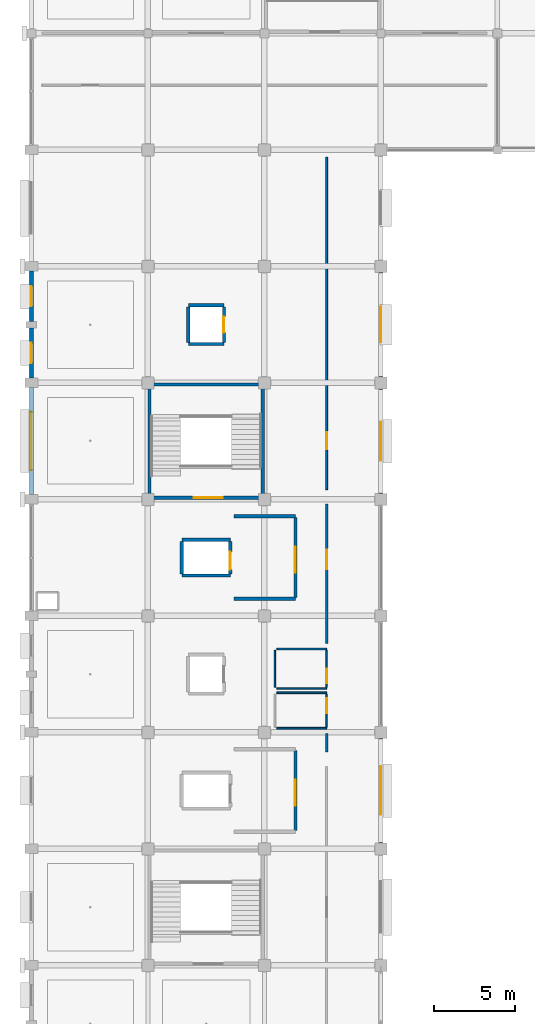
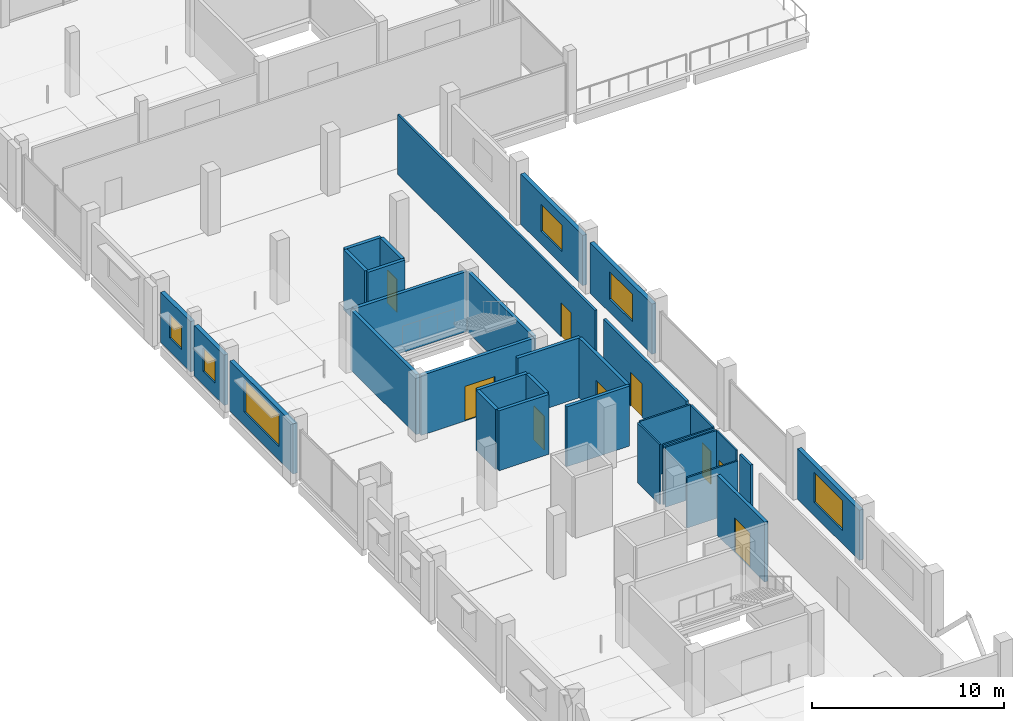
# One storey, part 67 of 91: 32 walls, 9 doors, 6 windows, 15 openings.
"""IFC4 building model written with IfcOpenShell, lengths in metres."""

from ifc_helpers import new_model, si_unit, direction, frame, frame_2d, origin, place, context, subcontext, project, spatial, rectangle, extrude, material, layer, layer_set, type_object, element, fill, save


model = new_model("IFC4")

# Units and contexts
model_context = context("Model", 3, precision=1e-05, world=origin(), true_north=direction((0.0, 1.0)))
body_context = subcontext(model_context, "Body", "Model", "MODEL_VIEW")
ifc_project = project(units=[si_unit("LENGTHUNIT", "METRE"), si_unit("AREAUNIT", "SQUARE_METRE"), si_unit("VOLUMEUNIT", "CUBIC_METRE"), si_unit("PLANEANGLEUNIT", "RADIAN"), si_unit("MASSUNIT", "GRAM", prefix="KILO")], contexts=[model_context])

# Site, building, storey
site_placement = place(None, origin())
site = spatial("IfcSite", under=ifc_project, at=site_placement, CompositionType="ELEMENT")
building_placement = place(site_placement, origin())
building = spatial("IfcBuilding", under=site, at=building_placement, Name="Kangsadwip Square Police Headquarters", CompositionType="ELEMENT")
storey_placement = place(building_placement, frame((0.0, 0.0, 13.5)))
storey = spatial("IfcBuildingStorey", under=building, at=storey_placement, Name="L03", CompositionType="ELEMENT", Elevation=13.5)

# Wall, opening, door
ifc_material_1 = material(Name="Fire-rated double gypsum board acoustic stud partition", Category="masonry")
ifc_layer_1 = layer(ifc_material_1, 0.1201171875)
ifc_layer_set_1 = layer_set([ifc_layer_1], Name="Fire-rated double gypsum board acoustic stud partition")
wall_type_1 = type_object("IfcWallType", Name="AcousticPartition120", PredefinedType="PARTITIONING", material=ifc_layer_set_1)
wall_1_placement = place(storey_placement, frame((18.25, 72.60009765625, 0.0), z_axis=(0.0, 0.0, 1.0), x_axis=(0.0, 1.0, 0.0)))
wall_1 = element("IfcWall", 1, at=wall_1_placement, inside=storey, type_object=wall_type_1, Name="Interior Wall WI-L03-0823", PredefinedType="PARTITIONING", context=body_context, shape_type="SweptSolid", body=[
    extrude(rectangle(XDim=20.5498046875, YDim=0.1201171875, at=frame_2d((10.27490234375, 0.0))), origin(), (0.0, 0.0, 1.0), 3.81005859375),
])
opening_1_placement = place(wall_1_placement, frame((2.5, 0.0, 0.0)))
opening_1 = element("IfcOpeningElement", 2, at=opening_1_placement, cuts=wall_1, Name="Opening ID-10A", PredefinedType="OPENING", context=body_context, shape_type="SweptSolid", body=[
    extrude(rectangle(XDim=1.050048828125, YDim=2.14990234375, at=frame_2d((0.52490234375, 1.074951171875))), frame((0.0, 0.070068359375, 0.0), z_axis=(0.0, -1.0, 0.0), x_axis=(1.0, 0.0, 0.0)), (0.0, 0.0, 1.0), 0.14013671875),
])
ifc_material_2 = material(Name="Solid-core seasoned teak hardwood architectural door", Category="wood")
door_type_1 = type_object("IfcDoorType", Name="OfficeDoor1050x2150", OperationType="NOTDEFINED", PredefinedType="DOOR", material=ifc_material_2)
door_1_placement = place(opening_1_placement, origin())
door_1 = element("IfcDoor", 3, at=door_1_placement, inside=storey, type_object=door_type_1, Name="Interior Door ID-L03-0215", OperationType="SINGLE_SWING_RIGHT", OverallHeight=2.14990234375, OverallWidth=1.050048828125, PredefinedType="DOOR", context=body_context, shape_type="SweptSolid", body=[
    extrude(rectangle(XDim=1.050048828125, YDim=2.14990234375, at=frame_2d((0.52490234375, 1.074951171875))), frame((0.0, 0.02490234375, 0.0), z_axis=(0.0, -1.0, 0.0), x_axis=(1.0, 0.0, 0.0)), (0.0, 0.0, 1.0), 0.050048828125),
])
fill(opening_1, door_1)

ifc_material_3 = material(Name="Autoclaved aerated concrete blockwork masonry", Category="masonry")
ifc_layer_2 = layer(ifc_material_3, 0.14990234375)
ifc_layer_set_2 = layer_set([ifc_layer_2], Name="Autoclaved aerated concrete blockwork masonry")
wall_type_2 = type_object("IfcWallType", Name="BlockPartition150", PredefinedType="PARTITIONING", material=ifc_layer_set_2)
wall_2_placement = place(storey_placement, frame((18.25, 63.080078125, 0.0), z_axis=(0.0, 0.0, 1.0), x_axis=(0.0, 1.0, 0.0)))
wall_2 = element("IfcWall", 4, at=wall_2_placement, inside=storey, type_object=wall_type_2, Name="Interior Wall WI-L03-0821", PredefinedType="PARTITIONING", context=body_context, shape_type="SweptSolid", body=[
    extrude(rectangle(XDim=8.619873046875, YDim=0.14990234375, at=frame_2d((4.31005859375, 0.0))), origin(), (0.0, 0.0, 1.0), 3.81005859375),
])
opening_2_placement = place(wall_2_placement, frame((4.60693359375, 0.0, 0.0)))
opening_2 = element("IfcOpeningElement", 5, at=opening_2_placement, cuts=wall_2, Name="Opening ID-12B", PredefinedType="OPENING", context=body_context, shape_type="SweptSolid", body=[
    extrude(rectangle(XDim=1.199951171875, YDim=2.14990234375, at=frame_2d((0.60009765625, 1.074951171875))), frame((0.0, 0.0849609375, 0.0), z_axis=(0.0, -1.0, 0.0), x_axis=(1.0, 0.0, 0.0)), (0.0, 0.0, 1.0), 0.169921875),
])
ifc_material_4 = material(Name="Solid-core seasoned teak hardwood architectural door", Category="wood")
door_type_2 = type_object("IfcDoorType", Name="ClinicDoor1200x2150", OperationType="NOTDEFINED", PredefinedType="DOOR", material=ifc_material_4)
door_2_placement = place(opening_2_placement, origin())
door_2 = element("IfcDoor", 6, at=door_2_placement, inside=storey, type_object=door_type_2, Name="Interior Door ID-L03-0214", OperationType="SINGLE_SWING_LEFT", OverallHeight=2.14990234375, OverallWidth=1.199951171875, PredefinedType="DOOR", context=body_context, shape_type="SweptSolid", body=[
    extrude(rectangle(XDim=1.199951171875, YDim=2.14990234375, at=frame_2d((0.60009765625, 1.074951171875))), frame((0.0, 0.02490234375, 0.0), z_axis=(0.0, -1.0, 0.0), x_axis=(1.0, 0.0, 0.0)), (0.0, 0.0, 1.0), 0.050048828125),
])
fill(opening_2, door_2)

# Wall
wall_3_placement = place(storey_placement, frame((18.25, 56.39990234375, 0.0), z_axis=(0.0, 0.0, 1.0), x_axis=(0.0, 1.0, 0.0)))
element("IfcWall", 7, at=wall_3_placement, inside=storey, type_object=wall_type_2, Name="Interior Wall WI-L03-0822", PredefinedType="PARTITIONING", context=body_context, shape_type="SweptSolid", body=[
    extrude(rectangle(XDim=1.1201171875, YDim=0.14990234375, at=frame_2d((0.56005859375, 0.0))), origin(), (0.0, 0.0, 1.0), 3.81005859375),
])

# Wall, opening, window
ifc_material_5 = material(Name="Glazed architectural terracotta masonry rainscreen", Category="masonry")
ifc_layer_3 = layer(ifc_material_5, 0.25)
ifc_layer_set_3 = layer_set([ifc_layer_3], Name="Glazed architectural terracotta masonry rainscreen")
wall_type_3 = type_object("IfcWallType", Name="ChicagoTerracottaWall250", PredefinedType="SOLIDWALL", material=ifc_layer_set_3)
wall_4_placement = place(storey_placement, frame((0.0, 72.294921875, 0.0), z_axis=(0.0, 0.0, 1.0), x_axis=(0.0, 1.0, 0.0)))
wall_4 = element("IfcWall", 8, at=wall_4_placement, inside=storey, type_object=wall_type_3, Name="Exterior Wall WE-L03-386", PredefinedType="SOLIDWALL", context=body_context, shape_type="SweptSolid", body=[
    extrude(rectangle(XDim=6.610107421875, YDim=0.25, at=frame_2d((3.30517578125, 0.0))), origin(), (0.0, 0.0, 1.0), 3.195068359375),
])
opening_3_placement = place(wall_4_placement, frame((1.5048828125, 0.0, 0.85009765625)))
opening_3 = element("IfcOpeningElement", 9, at=opening_3_placement, cuts=wall_4, Name="Opening WN-01", PredefinedType="OPENING", context=body_context, shape_type="SweptSolid", body=[
    extrude(rectangle(XDim=3.60009765625, YDim=2.050048828125, at=frame_2d((1.800048828125, 1.02490234375))), frame((0.0, 0.135009765625, 0.0), z_axis=(0.0, -1.0, 0.0), x_axis=(1.0, 0.0, 0.0)), (0.0, 0.0, 1.0), 0.27001953125),
])
ifc_material_6 = material(Name="Double-glazed solar-control low-E safety glass", Category="glass")
window_type_1 = type_object("IfcWindowType", Name="ChicagoTripartiteWin3600x2050", PartitioningType="TRIPLE_PANEL_HORIZONTAL", PredefinedType="WINDOW", material=ifc_material_6)
window_1_placement = place(opening_3_placement, origin())
window_1 = element("IfcWindow", 10, at=window_1_placement, inside=storey, type_object=window_type_1, Name="Window WN-L03-0239", OverallHeight=2.050048828125, OverallWidth=3.60009765625, PartitioningType="SINGLE_PANEL", PredefinedType="WINDOW", context=body_context, shape_type="SweptSolid", body=[
    extrude(rectangle(XDim=3.60009765625, YDim=2.050048828125, at=frame_2d((1.800048828125, 1.02490234375))), frame((0.0, 0.030029296875, 0.0), z_axis=(0.0, -1.0, 0.0), x_axis=(1.0, 0.0, 0.0)), (0.0, 0.0, 1.0), 0.06005859375),
])
fill(opening_3, window_1)

wall_5_placement = place(storey_placement, frame((0.0, 79.4951171875, 0.0), z_axis=(0.0, 0.0, 1.0), x_axis=(0.0, 1.0, 0.0)))
wall_5 = element("IfcWall", 11, at=wall_5_placement, inside=storey, type_object=wall_type_3, Name="Exterior Wall WE-L03-387", PredefinedType="SOLIDWALL", context=body_context, shape_type="SweptSolid", body=[
    extrude(rectangle(XDim=3.10986328125, YDim=0.25, at=frame_2d((1.554931640625, 0.0))), origin(), (0.0, 0.0, 1.0), 3.195068359375),
])
opening_4_placement = place(wall_5_placement, frame((0.929931640625, 0.0, 0.85009765625)))
opening_4 = element("IfcOpeningElement", 12, at=opening_4_placement, cuts=wall_5, Name="Opening WN-14", PredefinedType="OPENING", context=body_context, shape_type="SweptSolid", body=[
    extrude(rectangle(XDim=1.25, YDim=1.5, at=frame_2d((0.625, 0.75))), frame((0.0, 0.135009765625, 0.0), z_axis=(0.0, -1.0, 0.0), x_axis=(1.0, 0.0, 0.0)), (0.0, 0.0, 1.0), 0.27001953125),
])
ifc_material_7 = material(Name="Double-glazed solar-control low-E safety glass", Category="glass")
window_type_2 = type_object("IfcWindowType", Name="OfficeCasementWin1250x1500", PartitioningType="SINGLE_PANEL", PredefinedType="WINDOW", material=ifc_material_7)
window_2_placement = place(opening_4_placement, origin())
window_2 = element("IfcWindow", 13, at=window_2_placement, inside=storey, type_object=window_type_2, Name="Window WN-L03-0240", OverallHeight=1.5, OverallWidth=1.25, PartitioningType="SINGLE_PANEL", PredefinedType="WINDOW", context=body_context, shape_type="SweptSolid", body=[
    extrude(rectangle(XDim=1.25, YDim=1.5, at=frame_2d((0.625, 0.75))), frame((0.0, 0.030029296875, 0.0), z_axis=(0.0, -1.0, 0.0), x_axis=(1.0, 0.0, 0.0)), (0.0, 0.0, 1.0), 0.06005859375),
])
fill(opening_4, window_2)

wall_6_placement = place(storey_placement, frame((0.0, 82.9951171875, 0.0), z_axis=(0.0, 0.0, 1.0), x_axis=(0.0, 1.0, 0.0)))
wall_6 = element("IfcWall", 14, at=wall_6_placement, inside=storey, type_object=wall_type_3, Name="Exterior Wall WE-L03-388", PredefinedType="SOLIDWALL", context=body_context, shape_type="SweptSolid", body=[
    extrude(rectangle(XDim=3.10986328125, YDim=0.25, at=frame_2d((1.554931640625, 0.0))), origin(), (0.0, 0.0, 1.0), 3.195068359375),
])
opening_5_placement = place(wall_6_placement, frame((0.929931640625, 0.0, 0.85009765625)))
opening_5 = element("IfcOpeningElement", 15, at=opening_5_placement, cuts=wall_6, Name="Opening WN-14", PredefinedType="OPENING", context=body_context, shape_type="SweptSolid", body=[
    extrude(rectangle(XDim=1.25, YDim=1.5, at=frame_2d((0.625, 0.75))), frame((0.0, 0.135009765625, 0.0), z_axis=(0.0, -1.0, 0.0), x_axis=(1.0, 0.0, 0.0)), (0.0, 0.0, 1.0), 0.27001953125),
])
window_3_placement = place(opening_5_placement, origin())
window_3 = element("IfcWindow", 16, at=window_3_placement, inside=storey, type_object=window_type_2, Name="Window WN-L03-0241", OverallHeight=1.5, OverallWidth=1.25, PartitioningType="SINGLE_PANEL", PredefinedType="WINDOW", context=body_context, shape_type="SweptSolid", body=[
    extrude(rectangle(XDim=1.25, YDim=1.5, at=frame_2d((0.625, 0.75))), frame((0.0, 0.030029296875, 0.0), z_axis=(0.0, -1.0, 0.0), x_axis=(1.0, 0.0, 0.0)), (0.0, 0.0, 1.0), 0.06005859375),
])
fill(opening_5, window_3)

wall_7_placement = place(storey_placement, frame((21.60009765625, 50.77001953125, 0.0), z_axis=(0.0, 0.0, 1.0), x_axis=(0.0, 1.0, 0.0)))
wall_7 = element("IfcWall", 17, at=wall_7_placement, inside=storey, type_object=wall_type_3, Name="Exterior Wall WE-L03-393", PredefinedType="SOLIDWALL", context=body_context, shape_type="SweptSolid", body=[
    extrude(rectangle(XDim=6.4599609375, YDim=0.25, at=frame_2d((3.22998046875, 0.0))), origin(), (0.0, 0.0, 1.0), 3.195068359375),
])
opening_6_placement = place(wall_7_placement, frame((1.72998046875, 0.0, 0.85009765625)))
opening_6 = element("IfcOpeningElement", 18, at=opening_6_placement, cuts=wall_7, Name="Opening WN-04", PredefinedType="OPENING", context=body_context, shape_type="SweptSolid", body=[
    extrude(rectangle(XDim=3.0, YDim=1.89990234375, at=frame_2d((1.5, 0.949951171875))), frame((0.0, 0.135009765625, 0.0), z_axis=(0.0, -1.0, 0.0), x_axis=(1.0, 0.0, 0.0)), (0.0, 0.0, 1.0), 0.27001953125),
])
ifc_material_8 = material(Name="Double-glazed solar-control low-E safety glass", Category="glass")
window_type_3 = type_object("IfcWindowType", Name="ChicagoTripartiteWin3000x1900", PartitioningType="TRIPLE_PANEL_HORIZONTAL", PredefinedType="WINDOW", material=ifc_material_8)
window_4_placement = place(opening_6_placement, origin())
window_4 = element("IfcWindow", 19, at=window_4_placement, inside=storey, type_object=window_type_3, Name="Window WN-L03-0246", OverallHeight=1.89990234375, OverallWidth=3.0, PartitioningType="SINGLE_PANEL", PredefinedType="WINDOW", context=body_context, shape_type="SweptSolid", body=[
    extrude(rectangle(XDim=3.0, YDim=1.89990234375, at=frame_2d((1.5, 0.949951171875))), frame((0.0, 0.030029296875, 0.0), z_axis=(0.0, -1.0, 0.0), x_axis=(1.0, 0.0, 0.0)), (0.0, 0.0, 1.0), 0.06005859375),
])
fill(opening_6, window_4)

wall_8_placement = place(storey_placement, frame((21.60009765625, 72.3701171875, 0.0), z_axis=(0.0, 0.0, 1.0), x_axis=(0.0, 1.0, 0.0)))
wall_8 = element("IfcWall", 20, at=wall_8_placement, inside=storey, type_object=wall_type_3, Name="Exterior Wall WE-L03-394", PredefinedType="SOLIDWALL", context=body_context, shape_type="SweptSolid", body=[
    extrude(rectangle(XDim=6.4599609375, YDim=0.25, at=frame_2d((3.22998046875, 0.0))), origin(), (0.0, 0.0, 1.0), 3.195068359375),
])
opening_7_placement = place(wall_8_placement, frame((2.030029296875, 0.0, 0.85009765625)))
opening_7 = element("IfcOpeningElement", 21, at=opening_7_placement, cuts=wall_8, Name="Opening WN-07", PredefinedType="OPENING", context=body_context, shape_type="SweptSolid", body=[
    extrude(rectangle(XDim=2.39990234375, YDim=1.75, at=frame_2d((1.199951171875, 0.875))), frame((0.0, 0.135009765625, 0.0), z_axis=(0.0, -1.0, 0.0), x_axis=(1.0, 0.0, 0.0)), (0.0, 0.0, 1.0), 0.27001953125),
])
ifc_material_9 = material(Name="Double-glazed solar-control low-E safety glass", Category="glass")
window_type_4 = type_object("IfcWindowType", Name="ChicagoDoubleMullWin2400x1750", PartitioningType="DOUBLE_PANEL_VERTICAL", PredefinedType="WINDOW", material=ifc_material_9)
window_5_placement = place(opening_7_placement, origin())
window_5 = element("IfcWindow", 22, at=window_5_placement, inside=storey, type_object=window_type_4, Name="Window WN-L03-0247", OverallHeight=1.75, OverallWidth=2.39990234375, PartitioningType="SINGLE_PANEL", PredefinedType="WINDOW", context=body_context, shape_type="SweptSolid", body=[
    extrude(rectangle(XDim=2.39990234375, YDim=1.75, at=frame_2d((1.199951171875, 0.875))), frame((0.0, 0.030029296875, 0.0), z_axis=(0.0, -1.0, 0.0), x_axis=(1.0, 0.0, 0.0)), (0.0, 0.0, 1.0), 0.06005859375),
])
fill(opening_7, window_5)

wall_9_placement = place(storey_placement, frame((21.60009765625, 79.570068359375, 0.0), z_axis=(0.0, 0.0, 1.0), x_axis=(0.0, 1.0, 0.0)))
wall_9 = element("IfcWall", 23, at=wall_9_placement, inside=storey, type_object=wall_type_3, Name="Exterior Wall WE-L03-395", PredefinedType="SOLIDWALL", context=body_context, shape_type="SweptSolid", body=[
    extrude(rectangle(XDim=6.4599609375, YDim=0.25, at=frame_2d((3.22998046875, 0.0))), origin(), (0.0, 0.0, 1.0), 3.195068359375),
])
opening_8_placement = place(wall_9_placement, frame((2.1298828125, 0.0, 0.85009765625)))
opening_8 = element("IfcOpeningElement", 24, at=opening_8_placement, cuts=wall_9, Name="Opening WN-08", PredefinedType="OPENING", context=body_context, shape_type="SweptSolid", body=[
    extrude(rectangle(XDim=2.199951171875, YDim=1.699951171875, at=frame_2d((1.10009765625, 0.85009765625))), frame((0.0, 0.135009765625, 0.0), z_axis=(0.0, -1.0, 0.0), x_axis=(1.0, 0.0, 0.0)), (0.0, 0.0, 1.0), 0.27001953125),
])
ifc_material_10 = material(Name="Double-glazed solar-control low-E safety glass", Category="glass")
window_type_5 = type_object("IfcWindowType", Name="ChicagoDoubleMullWin2200x1700", PartitioningType="DOUBLE_PANEL_VERTICAL", PredefinedType="WINDOW", material=ifc_material_10)
window_6_placement = place(opening_8_placement, origin())
window_6 = element("IfcWindow", 25, at=window_6_placement, inside=storey, type_object=window_type_5, Name="Window WN-L03-0248", OverallHeight=1.699951171875, OverallWidth=2.199951171875, PartitioningType="SINGLE_PANEL", PredefinedType="WINDOW", context=body_context, shape_type="SweptSolid", body=[
    extrude(rectangle(XDim=2.199951171875, YDim=1.699951171875, at=frame_2d((1.10009765625, 0.85009765625))), frame((0.0, 0.030029296875, 0.0), z_axis=(0.0, -1.0, 0.0), x_axis=(1.0, 0.0, 0.0)), (0.0, 0.0, 1.0), 0.06005859375),
])
fill(opening_8, window_6)

# Wall, opening, door
ifc_material_11 = material(Name="Concrete M40 (40 MPa)", Category="concrete")
ifc_layer_4 = layer(ifc_material_11, 0.199951171875)
ifc_layer_set_4 = layer_set([ifc_layer_4], Name="Concrete M40 (40 MPa)")
wall_type_4 = type_object("IfcWallType", Name="CoreShearWall200", PredefinedType="SHEAR", material=ifc_layer_set_4)
wall_10_placement = place(storey_placement, frame((7.39990234375, 72.10009765625, 0.0), z_axis=(0.0, 0.0, 1.0), x_axis=(1.0, 0.0, 0.0)))
wall_10 = element("IfcWall", 26, at=wall_10_placement, inside=storey, type_object=wall_type_4, Name="Interior Wall WI-L03-0065", PredefinedType="SHEAR", context=body_context, shape_type="SweptSolid", body=[
    extrude(rectangle(XDim=6.800048828125, YDim=0.199951171875, at=frame_2d((3.39990234375, 0.0))), origin(), (0.0, 0.0, 1.0), 3.81005859375),
])
opening_9_placement = place(wall_10_placement, frame((2.632080078125, 0.0, 0.0)))
opening_9 = element("IfcOpeningElement", 27, at=opening_9_placement, cuts=wall_10, Name="Opening FD-18", PredefinedType="OPENING", context=body_context, shape_type="SweptSolid", body=[
    extrude(rectangle(XDim=1.800048828125, YDim=2.199951171875, at=frame_2d((0.89990234375, 1.10009765625))), frame((0.0, 0.10986328125, 0.0), z_axis=(0.0, -1.0, 0.0), x_axis=(1.0, 0.0, 0.0)), (0.0, 0.0, 1.0), 0.219970703125),
])
ifc_material_12 = material(Name="Insulated galvanized steel fire-rated door assembly", Category="steel")
door_type_3 = type_object("IfcDoorType", Name="StairFireDoor1800x2200", OperationType="DOUBLE_DOOR_SINGLE_SWING", PredefinedType="DOOR", material=ifc_material_12)
door_3_placement = place(opening_9_placement, origin())
door_3 = element("IfcDoor", 28, at=door_3_placement, inside=storey, type_object=door_type_3, Name="Interior Door ID-L03-0014", OperationType="DOUBLE_DOOR_SINGLE_SWING", OverallHeight=2.199951171875, OverallWidth=1.800048828125, PredefinedType="DOOR", context=body_context, shape_type="SweptSolid", body=[
    extrude(rectangle(XDim=1.800048828125, YDim=2.199951171875, at=frame_2d((0.89990234375, 1.10009765625))), frame((0.0, 0.02490234375, 0.0), z_axis=(0.0, -1.0, 0.0), x_axis=(1.0, 0.0, 0.0)), (0.0, 0.0, 1.0), 0.050048828125),
])
fill(opening_9, door_3)

# Walls
for number, where, z_axis, x_axis, name in (
    (29, (7.39990234375, 79.10009765625, 0.0), (0.0, 0.0, 1.0), (1.0, 0.0, 0.0), "Interior Wall WI-L03-0066"),
    (30, (7.300048828125, 72.199951171875, 0.0), (0.0, 0.0, 1.0), (0.0, 1.0, 0.0), "Interior Wall WI-L03-0067"),
    (31, (14.300048828125, 72.199951171875, 0.0), (0.0, 0.0, 1.0), (0.0, 1.0, 0.0), "Interior Wall WI-L03-0068"),
):
    element("IfcWall", number, at=place(storey_placement, frame(where, z_axis=z_axis, x_axis=x_axis)), inside=storey, type_object=wall_type_4, Name=name, PredefinedType="SHEAR", context=body_context, shape_type="SweptSolid", body=[
        extrude(rectangle(XDim=6.800048828125, YDim=0.199951171875, at=frame_2d((3.39990234375, 0.0))), origin(), (0.0, 0.0, 1.0), 3.81005859375),
    ])
for number, where, z_axis, x_axis, name in (
    (32, (9.300048828125, 67.300048828125, 0.0), (0.0, 0.0, 1.0), (1.0, 0.0, 0.0), "Interior Wall WI-L03-0287"),
    (33, (9.300048828125, 69.5, 0.0), (0.0, 0.0, 1.0), (1.0, 0.0, 0.0), "Interior Wall WI-L03-0288"),
):
    element("IfcWall", number, at=place(storey_placement, frame(where, z_axis=z_axis, x_axis=x_axis)), inside=storey, type_object=wall_type_4, Name=name, PredefinedType="SHEAR", context=body_context, shape_type="SweptSolid", body=[
        extrude(rectangle(XDim=3.0, YDim=0.199951171875, at=frame_2d((1.5, 0.0))), origin(), (0.0, 0.0, 1.0), 3.81005859375),
    ])
wall_11_placement = place(storey_placement, frame((9.300048828125, 67.39990234375, 0.0), z_axis=(0.0, 0.0, 1.0), x_axis=(0.0, 1.0, 0.0)))
element("IfcWall", 34, at=wall_11_placement, inside=storey, type_object=wall_type_4, Name="Interior Wall WI-L03-0289", PredefinedType="SHEAR", context=body_context, shape_type="SweptSolid", body=[
    extrude(rectangle(XDim=2.0, YDim=0.199951171875, at=frame_2d((1.0, 0.0))), origin(), (0.0, 0.0, 1.0), 3.81005859375),
])

# Wall, opening, door
wall_12_placement = place(storey_placement, frame((12.300048828125, 67.39990234375, 0.0), z_axis=(0.0, 0.0, 1.0), x_axis=(0.0, 1.0, 0.0)))
wall_12 = element("IfcWall", 35, at=wall_12_placement, inside=storey, type_object=wall_type_4, Name="Interior Wall WI-L03-0290", PredefinedType="SHEAR", context=body_context, shape_type="SweptSolid", body=[
    extrude(rectangle(XDim=2.0, YDim=0.199951171875, at=frame_2d((1.0, 0.0))), origin(), (0.0, 0.0, 1.0), 3.81005859375),
])
opening_10_placement = place(wall_12_placement, frame((0.25, 0.0, 0.0)))
opening_10 = element("IfcOpeningElement", 36, at=opening_10_placement, cuts=wall_12, Name="Opening LD-014", PredefinedType="OPENING", context=body_context, shape_type="SweptSolid", body=[
    extrude(rectangle(XDim=1.10009765625, YDim=2.14990234375, at=frame_2d((0.550048828125, 1.074951171875))), frame((0.0, 0.10986328125, 0.0), z_axis=(0.0, -1.0, 0.0), x_axis=(1.0, 0.0, 0.0)), (0.0, 0.0, 1.0), 0.219970703125),
])
ifc_material_13 = material(Name="Brushed stainless steel automatic sliding lift landing door", Category="steel")
door_type_4 = type_object("IfcDoorType", Name="LiftLandingDoor1100x2150", OperationType="DOUBLE_DOOR_SLIDING", PredefinedType="DOOR", material=ifc_material_13)
door_4_placement = place(opening_10_placement, origin())
door_4 = element("IfcDoor", 37, at=door_4_placement, inside=storey, type_object=door_type_4, Name="Interior Door LD-014", OperationType="DOUBLE_DOOR_SLIDING", OverallHeight=2.14990234375, OverallWidth=1.10009765625, PredefinedType="DOOR", context=body_context, shape_type="SweptSolid", body=[
    extrude(rectangle(XDim=1.10009765625, YDim=2.14990234375, at=frame_2d((0.550048828125, 1.074951171875))), frame((0.0, 0.02490234375, 0.0), z_axis=(0.0, -1.0, 0.0), x_axis=(1.0, 0.0, 0.0)), (0.0, 0.0, 1.0), 0.050048828125),
])
fill(opening_10, door_4)

# Walls
for number, where, z_axis, x_axis, name in (
    (38, (9.699951171875, 81.60009765625, 0.0), (0.0, 0.0, 1.0), (1.0, 0.0, 0.0), "Interior Wall WI-L03-0403"),
    (39, (9.699951171875, 84.0, 0.0), (0.0, 0.0, 1.0), (1.0, 0.0, 0.0), "Interior Wall WI-L03-0404"),
    (40, (9.699951171875, 81.699951171875, 0.0), (0.0, 0.0, 1.0), (0.0, 1.0, 0.0), "Interior Wall WI-L03-0405"),
):
    element("IfcWall", number, at=place(storey_placement, frame(where, z_axis=z_axis, x_axis=x_axis)), inside=storey, type_object=wall_type_4, Name=name, PredefinedType="SHEAR", context=body_context, shape_type="SweptSolid", body=[
        extrude(rectangle(XDim=2.199951171875, YDim=0.199951171875, at=frame_2d((1.10009765625, 0.0))), origin(), (0.0, 0.0, 1.0), 3.81005859375),
    ])

# Wall, opening, door
wall_13_placement = place(storey_placement, frame((11.89990234375, 81.699951171875, 0.0), z_axis=(0.0, 0.0, 1.0), x_axis=(0.0, 1.0, 0.0)))
wall_13 = element("IfcWall", 41, at=wall_13_placement, inside=storey, type_object=wall_type_4, Name="Interior Wall WI-L03-0406", PredefinedType="SHEAR", context=body_context, shape_type="SweptSolid", body=[
    extrude(rectangle(XDim=2.199951171875, YDim=0.199951171875, at=frame_2d((1.10009765625, 0.0))), origin(), (0.0, 0.0, 1.0), 3.81005859375),
])
opening_11_placement = place(wall_13_placement, frame((0.60009765625, 0.0, 0.0)))
opening_11 = element("IfcOpeningElement", 42, at=opening_11_placement, cuts=wall_13, Name="Opening LD-040", PredefinedType="OPENING", context=body_context, shape_type="SweptSolid", body=[
    extrude(rectangle(XDim=1.0, YDim=2.10009765625, at=frame_2d((0.5, 1.050048828125))), frame((0.0, 0.10986328125, 0.0), z_axis=(0.0, -1.0, 0.0), x_axis=(1.0, 0.0, 0.0)), (0.0, 0.0, 1.0), 0.219970703125),
])
ifc_material_14 = material(Name="Brushed stainless steel automatic sliding lift landing door", Category="steel")
door_type_5 = type_object("IfcDoorType", Name="LiftLandingDoor1000x2100", OperationType="DOUBLE_DOOR_SLIDING", PredefinedType="DOOR", material=ifc_material_14)
door_5_placement = place(opening_11_placement, origin())
door_5 = element("IfcDoor", 43, at=door_5_placement, inside=storey, type_object=door_type_5, Name="Interior Door LD-040", OperationType="DOUBLE_DOOR_SLIDING", OverallHeight=2.10009765625, OverallWidth=1.0, PredefinedType="DOOR", context=body_context, shape_type="SweptSolid", body=[
    extrude(rectangle(XDim=1.0, YDim=2.10009765625, at=frame_2d((0.5, 1.050048828125))), frame((0.0, 0.02490234375, 0.0), z_axis=(0.0, -1.0, 0.0), x_axis=(1.0, 0.0, 0.0)), (0.0, 0.0, 1.0), 0.050048828125),
])
fill(opening_11, door_5)

ifc_material_15 = material(Name="Concrete M40 (40 MPa)", Category="concrete")
ifc_layer_5 = layer(ifc_material_15, 0.199951171875)
ifc_layer_set_5 = layer_set([ifc_layer_5], Name="Concrete M40 (40 MPa)")
wall_type_5 = type_object("IfcWallType", Name="CustodySecurityWall200", PredefinedType="SOLIDWALL", material=ifc_layer_set_5)
wall_14_placement = place(storey_placement, frame((16.320068359375, 51.530029296875, 0.0), z_axis=(0.0, 0.0, 1.0), x_axis=(0.0, 1.0, 0.0)))
wall_14 = element("IfcWall", 44, at=wall_14_placement, inside=storey, type_object=wall_type_5, Name="Interior Wall WI-L03-0791", PredefinedType="SOLIDWALL", context=body_context, shape_type="SweptSolid", body=[
    extrude(rectangle(XDim=4.93994140625, YDim=0.199951171875, at=frame_2d((2.469970703125, 0.0))), origin(), (0.0, 0.0, 1.0), 3.81005859375),
])
opening_12_placement = place(wall_14_placement, frame((1.541015625, 0.0, 0.0)))
opening_12 = element("IfcOpeningElement", 45, at=opening_12_placement, cuts=wall_14, Name="Opening FD-16", PredefinedType="OPENING", context=body_context, shape_type="SweptSolid", body=[
    extrude(rectangle(XDim=1.60009765625, YDim=2.199951171875, at=frame_2d((0.800048828125, 1.10009765625))), frame((0.0, 0.10986328125, 0.0), z_axis=(0.0, -1.0, 0.0), x_axis=(1.0, 0.0, 0.0)), (0.0, 0.0, 1.0), 0.219970703125),
])
ifc_material_16 = material(Name="Insulated galvanized steel fire-rated door assembly", Category="steel")
door_type_6 = type_object("IfcDoorType", Name="FfLobbyFireDoor1600x2200", OperationType="DOUBLE_DOOR_SINGLE_SWING", PredefinedType="DOOR", material=ifc_material_16)
door_6_placement = place(opening_12_placement, origin())
door_6 = element("IfcDoor", 46, at=door_6_placement, inside=storey, type_object=door_type_6, Name="Interior Door ID-L03-0201", OperationType="DOUBLE_DOOR_SINGLE_SWING", OverallHeight=2.199951171875, OverallWidth=1.60009765625, PredefinedType="DOOR", context=body_context, shape_type="SweptSolid", body=[
    extrude(rectangle(XDim=1.60009765625, YDim=2.199951171875, at=frame_2d((0.800048828125, 1.10009765625))), frame((0.0, 0.02490234375, 0.0), z_axis=(0.0, -1.0, 0.0), x_axis=(1.0, 0.0, 0.0)), (0.0, 0.0, 1.0), 0.050048828125),
])
fill(opening_12, door_6)

wall_15_placement = place(storey_placement, frame((16.320068359375, 65.929931640625, 0.0), z_axis=(0.0, 0.0, 1.0), x_axis=(0.0, 1.0, 0.0)))
wall_15 = element("IfcWall", 47, at=wall_15_placement, inside=storey, type_object=wall_type_5, Name="Interior Wall WI-L03-0794", PredefinedType="SOLIDWALL", context=body_context, shape_type="SweptSolid", body=[
    extrude(rectangle(XDim=4.940185546875, YDim=0.199951171875, at=frame_2d((2.47021484375, 0.0))), origin(), (0.0, 0.0, 1.0), 3.81005859375),
])
opening_13_placement = place(wall_15_placement, frame((1.541015625, 0.0, 0.0)))
opening_13 = element("IfcOpeningElement", 48, at=opening_13_placement, cuts=wall_15, Name="Opening FD-16", PredefinedType="OPENING", context=body_context, shape_type="SweptSolid", body=[
    extrude(rectangle(XDim=1.60009765625, YDim=2.199951171875, at=frame_2d((0.800048828125, 1.10009765625))), frame((0.0, 0.10986328125, 0.0), z_axis=(0.0, -1.0, 0.0), x_axis=(1.0, 0.0, 0.0)), (0.0, 0.0, 1.0), 0.219970703125),
])
door_7_placement = place(opening_13_placement, origin())
door_7 = element("IfcDoor", 49, at=door_7_placement, inside=storey, type_object=door_type_6, Name="Interior Door ID-L03-0202", OperationType="DOUBLE_DOOR_SINGLE_SWING", OverallHeight=2.199951171875, OverallWidth=1.60009765625, PredefinedType="DOOR", context=body_context, shape_type="SweptSolid", body=[
    extrude(rectangle(XDim=1.60009765625, YDim=2.199951171875, at=frame_2d((0.800048828125, 1.10009765625))), frame((0.0, 0.02490234375, 0.0), z_axis=(0.0, -1.0, 0.0), x_axis=(1.0, 0.0, 0.0)), (0.0, 0.0, 1.0), 0.050048828125),
])
fill(opening_13, door_7)

# Walls
for number, where, z_axis, x_axis, name in (
    (50, (12.5400390625, 65.85009765625, 0.0), (0.0, 0.0, 1.0), (1.0, 0.0, 0.0), "Interior Wall WI-L03-0795"),
    (51, (12.5400390625, 70.949951171875, 0.0), (0.0, 0.0, 1.0), (1.0, 0.0, 0.0), "Interior Wall WI-L03-0796"),
):
    element("IfcWall", number, at=place(storey_placement, frame(where, z_axis=z_axis, x_axis=x_axis)), inside=storey, type_object=wall_type_5, Name=name, PredefinedType="SOLIDWALL", context=body_context, shape_type="SweptSolid", body=[
        extrude(rectangle(XDim=3.780029296875, YDim=0.199951171875, at=frame_2d((1.89013671875, 0.0))), origin(), (0.0, 0.0, 1.0), 3.81005859375),
    ])

# Wall, opening, door
ifc_material_17 = material(Name="Autoclaved aerated concrete blockwork masonry", Category="masonry")
ifc_layer_6 = layer(ifc_material_17, 0.10009765625)
ifc_layer_set_6 = layer_set([ifc_layer_6], Name="Autoclaved aerated concrete blockwork masonry")
wall_type_6 = type_object("IfcWallType", Name="WetWallPartition100", PredefinedType="PARTITIONING", material=ifc_layer_set_6)
wall_16_placement = place(storey_placement, frame((18.25, 57.929931640625, 0.0), z_axis=(0.0, 0.0, 1.0), x_axis=(0.0, 1.0, 0.0)))
wall_16 = element("IfcWall", 52, at=wall_16_placement, inside=storey, type_object=wall_type_6, Name="Interior Wall WI-L03-0800", PredefinedType="PARTITIONING", context=body_context, shape_type="SweptSolid", body=[
    extrude(rectangle(XDim=2.0400390625, YDim=0.10009765625, at=frame_2d((1.02001953125, 0.0))), origin(), (0.0, 0.0, 1.0), 3.81005859375),
])
opening_14_placement = place(wall_16_placement, frame((0.840087890625, 0.0, 0.0)))
opening_14 = element("IfcOpeningElement", 53, at=opening_14_placement, cuts=wall_16, Name="Opening WD-09A", PredefinedType="OPENING", context=body_context, shape_type="SweptSolid", body=[
    extrude(rectangle(XDim=0.949951171875, YDim=2.10009765625, at=frame_2d((0.47509765625, 1.050048828125))), frame((0.0, 0.06005859375, 0.0), z_axis=(0.0, -1.0, 0.0), x_axis=(1.0, 0.0, 0.0)), (0.0, 0.0, 1.0), 0.1201171875),
])
ifc_material_18 = material(Name="Solid-core seasoned teak hardwood architectural door", Category="wood")
door_type_7 = type_object("IfcDoorType", Name="AccessibleWcDoor950x2100", OperationType="NOTDEFINED", PredefinedType="DOOR", material=ifc_material_18)
door_8_placement = place(opening_14_placement, origin())
door_8 = element("IfcDoor", 54, at=door_8_placement, inside=storey, type_object=door_type_7, Name="Interior Door ID-L03-0204", OperationType="SINGLE_SWING_LEFT", OverallHeight=2.10009765625, OverallWidth=0.949951171875, PredefinedType="DOOR", context=body_context, shape_type="SweptSolid", body=[
    extrude(rectangle(XDim=0.949951171875, YDim=2.10009765625, at=frame_2d((0.47509765625, 1.050048828125))), frame((0.0, 0.02490234375, 0.0), z_axis=(0.0, -1.0, 0.0), x_axis=(1.0, 0.0, 0.0)), (0.0, 0.0, 1.0), 0.050048828125),
])
fill(opening_14, door_8)

# Walls
wall_17_placement = place(storey_placement, frame((15.169921875, 57.85009765625, 0.0), z_axis=(0.0, 0.0, 1.0), x_axis=(1.0, 0.0, 0.0)))
element("IfcWall", 55, at=wall_17_placement, inside=storey, type_object=wall_type_6, Name="Interior Wall WI-L03-0801", PredefinedType="PARTITIONING", context=body_context, shape_type="SweptSolid", body=[
    extrude(rectangle(XDim=3.080078125, YDim=0.10009765625, at=frame_2d((1.5400390625, 0.0))), origin(), (0.0, 0.0, 1.0), 3.199951171875),
])
wall_18_placement = place(storey_placement, frame((15.169921875, 60.050048828125, 0.0), z_axis=(0.0, 0.0, 1.0), x_axis=(1.0, 0.0, 0.0)))
element("IfcWall", 56, at=wall_18_placement, inside=storey, type_object=wall_type_6, Name="Interior Wall WI-L03-0802", PredefinedType="PARTITIONING", context=body_context, shape_type="SweptSolid", body=[
    extrude(rectangle(XDim=3.080078125, YDim=0.10009765625, at=frame_2d((1.5400390625, 0.0))), origin(), (0.0, 0.0, 1.0), 3.81005859375),
])

# Wall, opening, door
wall_19_placement = place(storey_placement, frame((18.25, 60.3798828125, 0.0), z_axis=(0.0, 0.0, 1.0), x_axis=(0.0, 1.0, 0.0)))
wall_19 = element("IfcWall", 57, at=wall_19_placement, inside=storey, type_object=wall_type_6, Name="Interior Wall WI-L03-0804", PredefinedType="PARTITIONING", context=body_context, shape_type="SweptSolid", body=[
    extrude(rectangle(XDim=2.2900390625, YDim=0.10009765625, at=frame_2d((1.14501953125, 0.0))), origin(), (0.0, 0.0, 1.0), 3.81005859375),
])
opening_15_placement = place(wall_19_placement, frame((0.25, 0.0, 0.0)))
opening_15 = element("IfcOpeningElement", 58, at=opening_15_placement, cuts=wall_19, Name="Opening WD-09B", PredefinedType="OPENING", context=body_context, shape_type="SweptSolid", body=[
    extrude(rectangle(XDim=0.89990234375, YDim=2.10009765625, at=frame_2d((0.449951171875, 1.050048828125))), frame((0.0, 0.06005859375, 0.0), z_axis=(0.0, -1.0, 0.0), x_axis=(1.0, 0.0, 0.0)), (0.0, 0.0, 1.0), 0.1201171875),
])
ifc_material_19 = material(Name="Solid-core seasoned teak hardwood architectural door", Category="wood")
door_type_8 = type_object("IfcDoorType", Name="ToiletRoomDoor900x2100", OperationType="NOTDEFINED", PredefinedType="DOOR", material=ifc_material_19)
door_9_placement = place(opening_15_placement, origin())
door_9 = element("IfcDoor", 59, at=door_9_placement, inside=storey, type_object=door_type_8, Name="Interior Door ID-L03-0205", OperationType="SINGLE_SWING_RIGHT", OverallHeight=2.10009765625, OverallWidth=0.89990234375, PredefinedType="DOOR", context=body_context, shape_type="SweptSolid", body=[
    extrude(rectangle(XDim=0.89990234375, YDim=2.10009765625, at=frame_2d((0.449951171875, 1.050048828125))), frame((0.0, 0.02490234375, 0.0), z_axis=(0.0, -1.0, 0.0), x_axis=(1.0, 0.0, 0.0)), (0.0, 0.0, 1.0), 0.050048828125),
])
fill(opening_15, door_9)

# Walls
for number, where, z_axis, x_axis, name in (
    (60, (15.169921875, 60.300048828125, 0.0), (0.0, 0.0, 1.0), (1.0, 0.0, 0.0), "Interior Wall WI-L03-0805"),
    (61, (15.169921875, 62.75, 0.0), (0.0, 0.0, 1.0), (1.0, 0.0, 0.0), "Interior Wall WI-L03-0806"),
):
    element("IfcWall", number, at=place(storey_placement, frame(where, z_axis=z_axis, x_axis=x_axis)), inside=storey, type_object=wall_type_6, Name=name, PredefinedType="PARTITIONING", context=body_context, shape_type="SweptSolid", body=[
        extrude(rectangle(XDim=3.080078125, YDim=0.10009765625, at=frame_2d((1.5400390625, 0.0))), origin(), (0.0, 0.0, 1.0), 3.81005859375),
    ])
wall_20_placement = place(storey_placement, frame((15.050048828125, 60.3798828125, 0.0), z_axis=(0.0, 0.0, 1.0), x_axis=(0.0, 1.0, 0.0)))
element("IfcWall", 62, at=wall_20_placement, inside=storey, type_object=wall_type_6, Name="Interior Wall WI-L03-0807", PredefinedType="PARTITIONING", context=body_context, shape_type="SweptSolid", body=[
    extrude(rectangle(XDim=2.2900390625, YDim=0.10009765625, at=frame_2d((1.14501953125, 0.0))), origin(), (0.0, 0.0, 1.0), 3.81005859375),
])

save(model, "model.ifc")
